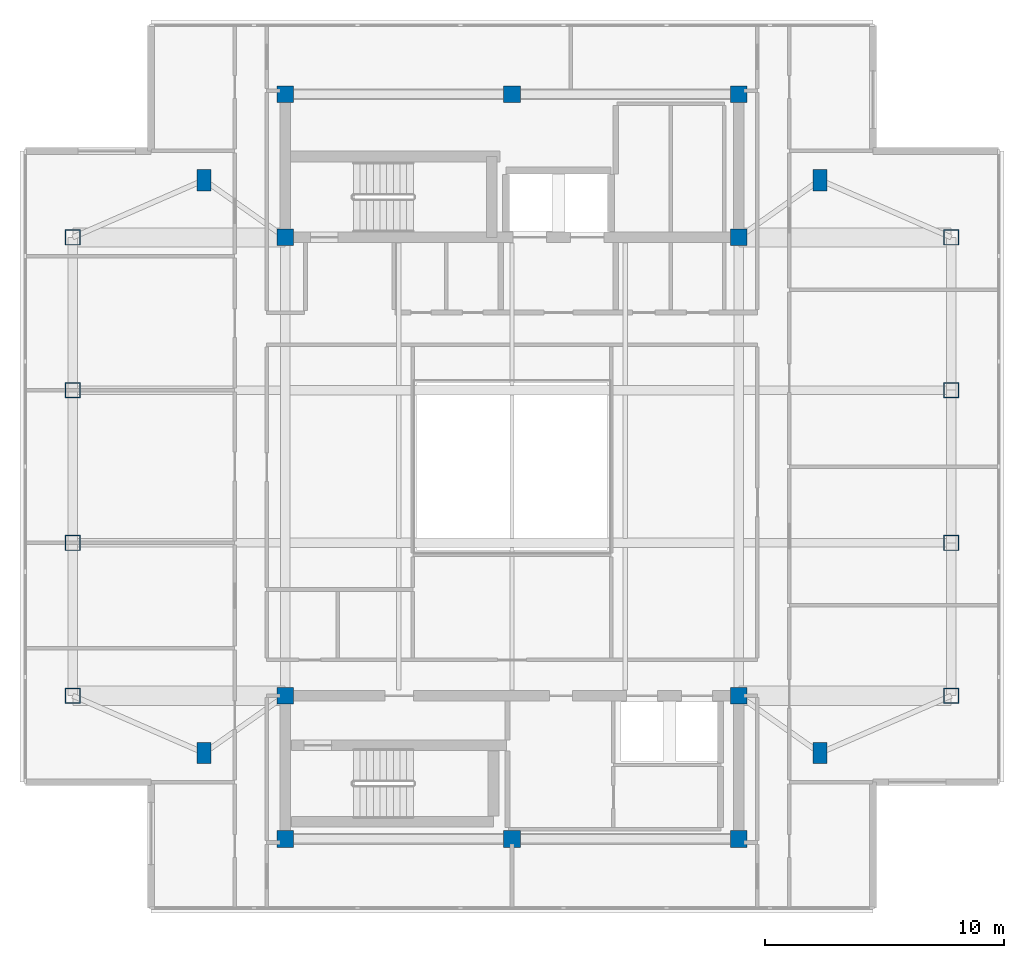
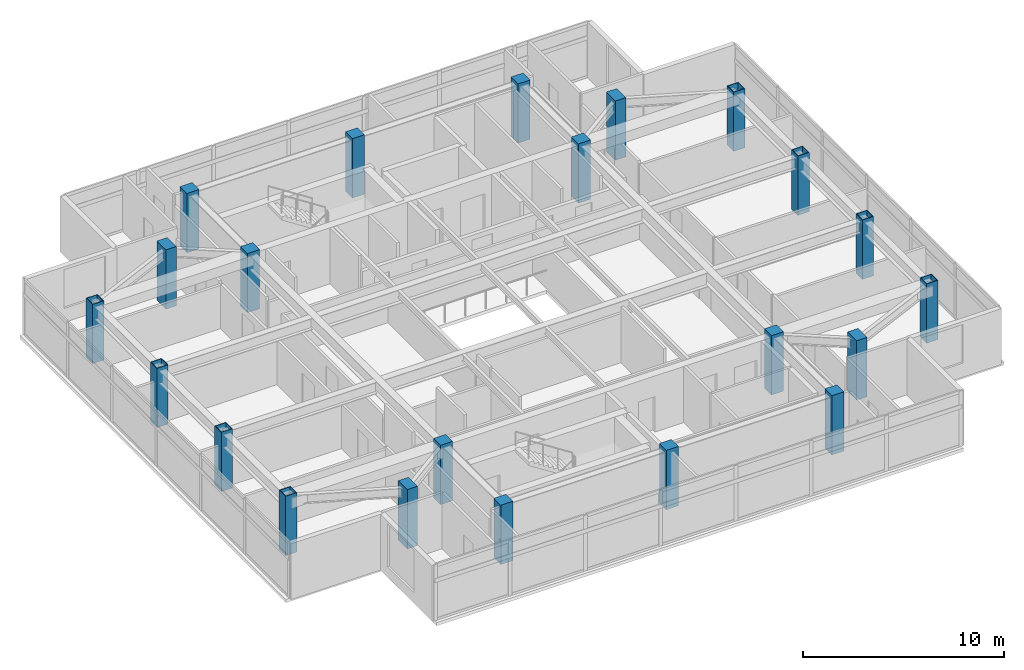
# One storey, part 1 of 12: 22 columns.
"""IFC4 building model written with IfcOpenShell, lengths in metres."""

from ifc_helpers import new_model, si_unit, direction, frame, origin, origin_2d, place, context, subcontext, project, spatial, rectangle, hollow_rectangle, extrude, material, material_profile, profile_set, type_object, element, save


model = new_model("IFC4")

# Units and contexts
model_context = context("Model", 3, precision=1e-05, world=origin(), true_north=direction((0.0, 1.0)))
body_context = subcontext(model_context, "Body", "Model", "MODEL_VIEW")
ifc_project = project(units=[si_unit("LENGTHUNIT", "METRE"), si_unit("AREAUNIT", "SQUARE_METRE"), si_unit("VOLUMEUNIT", "CUBIC_METRE"), si_unit("PLANEANGLEUNIT", "RADIAN"), si_unit("MASSUNIT", "GRAM", prefix="KILO")], contexts=[model_context])

# Site, building, storey
site_placement = place(None, origin())
site = spatial("IfcSite", under=ifc_project, at=site_placement, CompositionType="ELEMENT")
building_placement = place(site_placement, origin())
building = spatial("IfcBuilding", under=site, at=building_placement, Name="Mirazonda Arch Towers", CompositionType="ELEMENT")
storey_placement = place(building_placement, frame((0.0, 0.0, 256.300048828125)))
storey = spatial("IfcBuildingStorey", under=building, at=storey_placement, Name="L73", CompositionType="ELEMENT", Elevation=256.300048828125)

# Columns
ifc_material_1 = material(Name="Concrete C50/60", Category="concrete")
ifc_material_profile_1 = material_profile(ifc_material_1, rectangle(XDim=0.699951171875, YDim=0.699951171875, at=origin_2d()), Name="RC700x700")
ifc_profile_set_1 = profile_set([ifc_material_profile_1], Name="Concrete C50/60")
column_type_1 = type_object("IfcColumnType", Name="COL-INT-RC700x700", PredefinedType="COLUMN", material=ifc_profile_set_1)
for number, where, z_axis, x_axis, name in (
    (1, (11.0, 12.39990234375, 0.0), (0.0, 0.0, 1.0), (1.0, 0.0, 0.0), "L73 T1 Core Column 01"),
    (2, (20.5, 12.39990234375, 0.0), (0.0, 0.0, 1.0), (1.0, 0.0, 0.0), "L73 T1 Core Column 02"),
    (3, (30.0, 12.39990234375, 0.0), (0.0, 0.0, 1.0), (1.0, 0.0, 0.0), "L73 T1 Core Column 03"),
    (4, (11.0, 18.39990234375, 0.0), (0.0, 0.0, 1.0), (1.0, 0.0, 0.0), "L73 T1 Core Column 04"),
    (5, (30.0, 18.39990234375, 0.0), (0.0, 0.0, 1.0), (1.0, 0.0, 0.0), "L73 T1 Core Column 05"),
    (6, (11.0, 37.60009765625, 0.0), (0.0, 0.0, 1.0), (1.0, 0.0, 0.0), "L73 T1 Core Column 06"),
    (7, (30.0, 37.60009765625, 0.0), (0.0, 0.0, 1.0), (1.0, 0.0, 0.0), "L73 T1 Core Column 07"),
    (8, (11.0, 43.60009765625, 0.0), (0.0, 0.0, 1.0), (1.0, 0.0, 0.0), "L73 T1 Core Column 08"),
    (9, (20.5, 43.60009765625, 0.0), (0.0, 0.0, 1.0), (1.0, 0.0, 0.0), "L73 T1 Core Column 09"),
    (10, (30.0, 43.60009765625, 0.0), (0.0, 0.0, 1.0), (1.0, 0.0, 0.0), "L73 T1 Core Column 10"),
):
    element("IfcColumn", number, at=place(storey_placement, frame(where, z_axis=z_axis, x_axis=x_axis)), inside=storey, type_object=column_type_1, Name=name, PredefinedType="COLUMN", context=body_context, shape_type="SweptSolid", body=[
        extrude(rectangle(XDim=0.699951171875, YDim=0.699951171875, at=origin_2d()), origin(), (0.0, 0.0, 1.0), 3.599853515625),
    ])
ifc_material_2 = material(Name="Steel ASTM A572 Grade 50", Category="steel")
ifc_material_profile_2 = material_profile(ifc_material_2, hollow_rectangle(XDim=0.64990234375, YDim=0.64990234375, WallThickness=0.035888671875, at=origin_2d()), Name="BOX650x650x36")
ifc_profile_set_2 = profile_set([ifc_material_profile_2], Name="Steel ASTM A572 Grade 50")
column_type_2 = type_object("IfcColumnType", Name="MCOL-EXT-BOX650x650x36", PredefinedType="COLUMN", material=ifc_profile_set_2)
for number, where, z_axis, x_axis, name in (
    (11, (2.10009765625, 18.39990234375, 0.0), (0.0, 0.0, 1.0), (1.0, 0.0, 0.0), "L73 T1 Composite Mega-Column 01"),
    (12, (2.10009765625, 24.800048828125, 0.0), (0.0, 0.0, 1.0), (1.0, 0.0, 0.0), "L73 T1 Composite Mega-Column 02"),
    (13, (2.10009765625, 31.199951171875, 0.0), (0.0, 0.0, 1.0), (1.0, 0.0, 0.0), "L73 T1 Composite Mega-Column 03"),
    (14, (2.10009765625, 37.60009765625, 0.0), (0.0, 0.0, 1.0), (1.0, 0.0, 0.0), "L73 T1 Composite Mega-Column 04"),
    (15, (38.89990234375, 18.39990234375, 0.0), (0.0, 0.0, 1.0), (1.0, 0.0, 0.0), "L73 T1 Composite Mega-Column 05"),
    (16, (38.89990234375, 24.800048828125, 0.0), (0.0, 0.0, 1.0), (1.0, 0.0, 0.0), "L73 T1 Composite Mega-Column 06"),
    (17, (38.89990234375, 31.199951171875, 0.0), (0.0, 0.0, 1.0), (1.0, 0.0, 0.0), "L73 T1 Composite Mega-Column 07"),
    (18, (38.89990234375, 37.60009765625, 0.0), (0.0, 0.0, 1.0), (1.0, 0.0, 0.0), "L73 T1 Composite Mega-Column 08"),
):
    element("IfcColumn", number, at=place(storey_placement, frame(where, z_axis=z_axis, x_axis=x_axis)), inside=storey, type_object=column_type_2, Name=name, PredefinedType="COLUMN", context=body_context, shape_type="SweptSolid", body=[
        extrude(hollow_rectangle(XDim=0.64990234375, YDim=0.64990234375, WallThickness=0.035888671875, at=origin_2d()), origin(), (0.0, 0.0, 1.0), 3.599853515625),
    ])
ifc_material_profile_3 = material_profile(ifc_material_1, rectangle(XDim=0.60009765625, YDim=0.89990234375, at=origin_2d()), Name="RC900x600")
ifc_profile_set_3 = profile_set([ifc_material_profile_3], Name="Concrete C50/60")
column_type_3 = type_object("IfcColumnType", Name="PIL-EXT-RC900x600", PredefinedType="PILASTER", material=ifc_profile_set_3)
for number, where, z_axis, x_axis, name in (
    (19, (7.60009765625, 16.0, 0.0), (0.0, 0.0, 1.0), (1.0, 0.0, 0.0), "L73 T1 Corner Pilaster 01"),
    (20, (33.39990234375, 16.0, 0.0), (0.0, 0.0, 1.0), (1.0, 0.0, 0.0), "L73 T1 Corner Pilaster 02"),
    (21, (7.60009765625, 40.0, 0.0), (0.0, 0.0, 1.0), (1.0, 0.0, 0.0), "L73 T1 Corner Pilaster 03"),
    (22, (33.39990234375, 40.0, 0.0), (0.0, 0.0, 1.0), (1.0, 0.0, 0.0), "L73 T1 Corner Pilaster 04"),
):
    element("IfcColumn", number, at=place(storey_placement, frame(where, z_axis=z_axis, x_axis=x_axis)), inside=storey, type_object=column_type_3, Name=name, PredefinedType="PILASTER", context=body_context, shape_type="SweptSolid", body=[
        extrude(rectangle(XDim=0.60009765625, YDim=0.89990234375, at=origin_2d()), origin(), (0.0, 0.0, 1.0), 3.599853515625),
    ])

save(model, "model.ifc")
